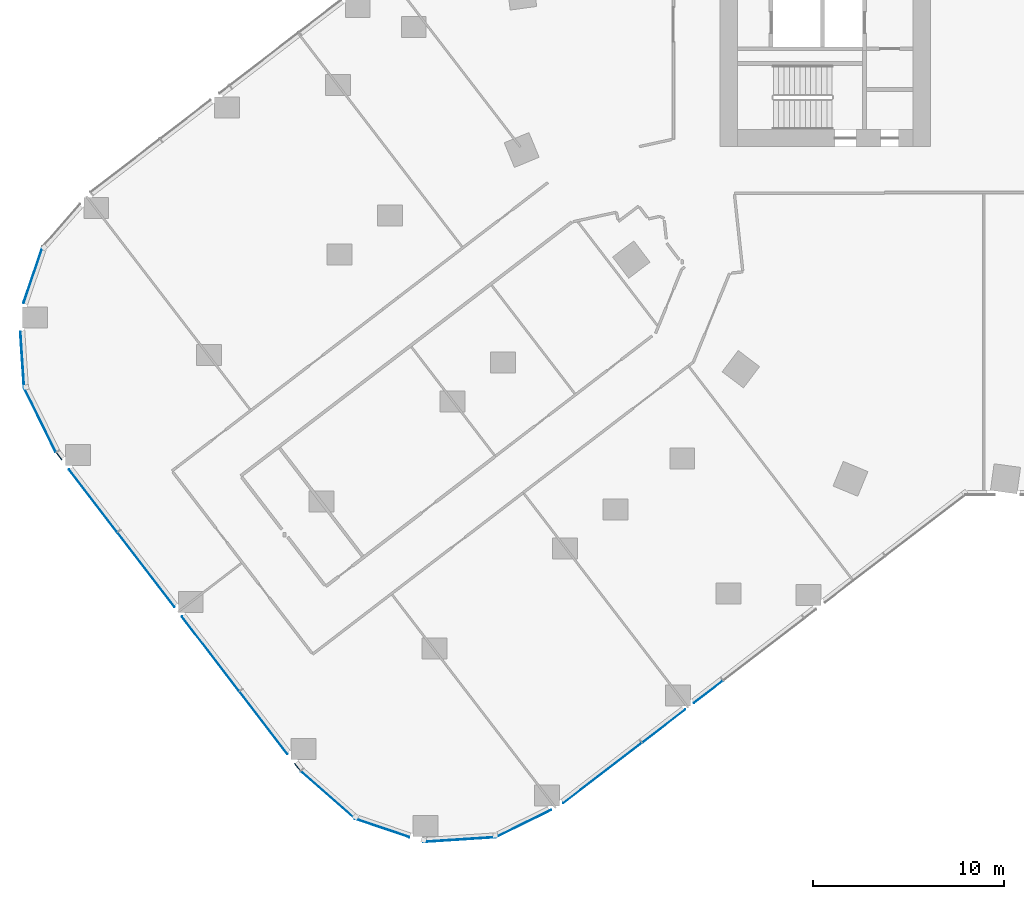
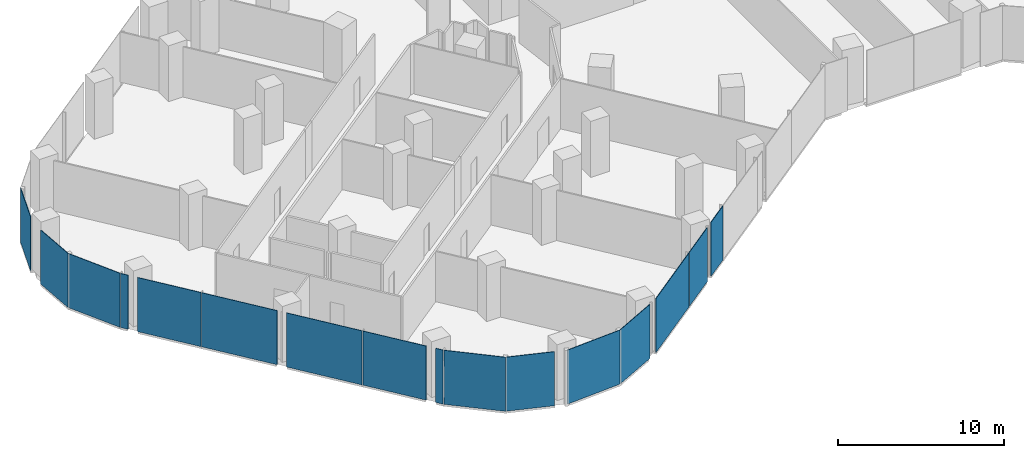
# One storey, part 14 of 29: 16 plates, 9 elements without a shape of their own.
"""IFC4 building model written with IfcOpenShell, lengths in metres."""

from ifc_helpers import new_model, si_unit, direction, frame, origin, origin_2d, place, context, subcontext, project, spatial, rectangle, extrude, material, layer, layer_set, type_object, element, aggregate, save


model = new_model("IFC4")

# Units and contexts
model_context = context("Model", 3, precision=1e-05, world=origin(), true_north=direction((0.0, 1.0)))
body_context = subcontext(model_context, "Body", "Model", "MODEL_VIEW")
ifc_project = project(units=[si_unit("LENGTHUNIT", "METRE"), si_unit("AREAUNIT", "SQUARE_METRE"), si_unit("VOLUMEUNIT", "CUBIC_METRE"), si_unit("PLANEANGLEUNIT", "RADIAN"), si_unit("MASSUNIT", "GRAM", prefix="KILO")], contexts=[model_context])

# Site, building, storey
site_placement = place(None, origin())
site = spatial("IfcSite", under=ifc_project, at=site_placement, CompositionType="ELEMENT")
building_placement = place(site_placement, origin())
building = spatial("IfcBuilding", under=site, at=building_placement, Name="Orlundy Tower", CompositionType="ELEMENT")
storey_placement = place(building_placement, frame((0.0, 0.0, 25.10009765625)))
storey = spatial("IfcBuildingStorey", under=building, at=storey_placement, Name="L04", CompositionType="ELEMENT", Elevation=25.10009765625)

# Curtain wall, plates
ifc_material_1 = material(Name="Aluminium bronze anodised", Category="aluminium")
curtain_wall_type = type_object("IfcCurtainWallType", Name="CW2 wall", PredefinedType="NOTDEFINED", material=ifc_material_1)
curtain_wall_1_placement = place(storey_placement, origin())
curtain_wall_1 = element("IfcCurtainWall", 1, at=curtain_wall_1_placement, inside=storey, type_object=curtain_wall_type, Name="CW2 run 02", PredefinedType="NOTDEFINED")
ifc_material_2 = material(Name="Tinted glass", Category="glass")
ifc_layer = layer(ifc_material_2, 0.0380859375)
ifc_layer_set = layer_set([ifc_layer], Name="CW2 glass panel 38")
plate_type = type_object("IfcPlateType", Name="CW2 glass panel 38", PredefinedType="CURTAIN_PANEL", material=ifc_layer_set)
plate_1_placement = place(storey_placement, frame((-19.620849609375, -40.556396484375, -0.27001953125), z_axis=(0.0, 0.0, 1.0), x_axis=(-0.793352099111, -0.608763046543, 0.0)))
plate_1 = element("IfcPlate", 2, at=plate_1_placement, type_object=plate_type, Name="CW2 panel", PredefinedType="CURTAIN_PANEL", context=body_context, shape_type="SweptSolid", body=[
    extrude(rectangle(XDim=1.888671875, YDim=0.0380859375, at=origin_2d()), origin(), (0.0, 0.0, 1.0), 3.969970703125),
])
plate_2_placement = place(storey_placement, frame((-21.95703125, -42.34912109375, -0.27001953125), z_axis=(0.0, 0.0, 1.0), x_axis=(-0.793352099111, -0.608763046543, 0.0)))
plate_2 = element("IfcPlate", 3, at=plate_2_placement, type_object=plate_type, Name="CW2 panel", PredefinedType="CURTAIN_PANEL", context=body_context, shape_type="SweptSolid", body=[
    extrude(rectangle(XDim=2.83544921875, YDim=0.0380859375, at=origin_2d()), origin(), (0.0, 0.0, 1.0), 3.969970703125),
])
plate_3_placement = place(storey_placement, frame((-25.171630859375, -44.815673828125, -0.27001953125), z_axis=(0.0, 0.0, 1.0), x_axis=(-0.793352099111, -0.608763046543, 0.0)))
plate_3 = element("IfcPlate", 4, at=plate_3_placement, type_object=plate_type, Name="CW2 panel", PredefinedType="CURTAIN_PANEL", context=body_context, shape_type="SweptSolid", body=[
    extrude(rectangle(XDim=5.168701171875, YDim=0.0380859375, at=origin_2d()), origin(), (0.0, 0.0, 1.0), 3.969970703125),
])
aggregate(curtain_wall_1, [plate_1, plate_2, plate_3])

# Curtain wall, plate
curtain_wall_2_placement = place(storey_placement, origin())
curtain_wall_2 = element("IfcCurtainWall", 5, at=curtain_wall_2_placement, inside=storey, type_object=curtain_wall_type, Name="CW2 run 03", PredefinedType="NOTDEFINED")
plate_4_placement = place(storey_placement, frame((-29.3017578125, -47.455322265625, -0.27001953125), z_axis=(0.0, 0.0, 1.0), x_axis=(-0.896841554905, -0.442351924824, 0.0)))
plate_4 = element("IfcPlate", 6, at=plate_4_placement, type_object=plate_type, Name="CW2 panel", PredefinedType="CURTAIN_PANEL", context=body_context, shape_type="SweptSolid", body=[
    extrude(rectangle(XDim=3.242919921875, YDim=0.0380859375, at=origin_2d()), origin(), (0.0, 0.0, 1.0), 3.969970703125),
])
aggregate(curtain_wall_2, [plate_4])

curtain_wall_3_placement = place(storey_placement, origin())
curtain_wall_3 = element("IfcCurtainWall", 7, at=curtain_wall_3_placement, inside=storey, type_object=curtain_wall_type, Name="CW2 run 04", PredefinedType="NOTDEFINED")
plate_5_placement = place(storey_placement, frame((-32.6513671875, -48.29638671875, -0.27001953125), z_axis=(0.0, 0.0, 1.0), x_axis=(-0.997866755389, -0.065283523877, 0.0)))
plate_5 = element("IfcPlate", 8, at=plate_5_placement, type_object=plate_type, Name="CW2 panel", PredefinedType="CURTAIN_PANEL", context=body_context, shape_type="SweptSolid", body=[
    extrude(rectangle(XDim=3.798828125, YDim=0.0380859375, at=origin_2d()), origin(), (0.0, 0.0, 1.0), 3.969970703125),
])
aggregate(curtain_wall_3, [plate_5])

curtain_wall_4_placement = place(storey_placement, origin())
curtain_wall_4 = element("IfcCurtainWall", 9, at=curtain_wall_4_placement, inside=storey, type_object=curtain_wall_type, Name="CW2 run 05", PredefinedType="NOTDEFINED")
plate_6_placement = place(storey_placement, frame((-36.71533203125, -47.6845703125, -0.27001953125), z_axis=(0.0, 0.0, 1.0), x_axis=(-0.946969904911, 0.32132226688, 0.0)))
plate_6 = element("IfcPlate", 10, at=plate_6_placement, type_object=plate_type, Name="CW2 panel", PredefinedType="CURTAIN_PANEL", context=body_context, shape_type="SweptSolid", body=[
    extrude(rectangle(XDim=3.016845703125, YDim=0.0380859375, at=origin_2d()), origin(), (0.0, 0.0, 1.0), 3.969970703125),
])
aggregate(curtain_wall_4, [plate_6])

curtain_wall_5_placement = place(storey_placement, origin())
curtain_wall_5 = element("IfcCurtainWall", 11, at=curtain_wall_5_placement, inside=storey, type_object=curtain_wall_type, Name="CW2 run 06", PredefinedType="NOTDEFINED")
plate_7_placement = place(storey_placement, frame((-39.5537109375, -45.963623046875, -0.27001953125), z_axis=(0.0, 0.0, 1.0), x_axis=(-0.751857647447, 0.65932547196, 0.0)))
plate_7 = element("IfcPlate", 12, at=plate_7_placement, type_object=plate_type, Name="CW2 panel", PredefinedType="CURTAIN_PANEL", context=body_context, shape_type="SweptSolid", body=[
    extrude(rectangle(XDim=3.75048828125, YDim=0.0380859375, at=origin_2d()), origin(), (0.0, 0.0, 1.0), 3.969970703125),
])
aggregate(curtain_wall_5, [plate_7])

# Curtain wall, plates
curtain_wall_6_placement = place(storey_placement, origin())
curtain_wall_6 = element("IfcCurtainWall", 13, at=curtain_wall_6_placement, inside=storey, type_object=curtain_wall_type, Name="CW2 run 07", PredefinedType="NOTDEFINED")
plate_8_placement = place(storey_placement, frame((-41.146728515625, -44.496337890625, -0.27001953125), z_axis=(0.0, 0.0, 1.0), x_axis=(-0.608748393046, 0.793363342967, 0.0)))
plate_8 = element("IfcPlate", 14, at=plate_8_placement, type_object=plate_type, Name="CW2 panel", PredefinedType="CURTAIN_PANEL", context=body_context, shape_type="SweptSolid", body=[
    extrude(rectangle(XDim=0.489990234375, YDim=0.0380859375, at=origin_2d()), origin(), (0.0, 0.0, 1.0), 3.969970703125),
])
plate_9_placement = place(storey_placement, frame((-42.925537109375, -42.17822265625, -0.27001953125), z_axis=(0.0, 0.0, 1.0), x_axis=(-0.608748393046, 0.793363342967, 0.0)))
plate_9 = element("IfcPlate", 15, at=plate_9_placement, type_object=plate_type, Name="CW2 panel", PredefinedType="CURTAIN_PANEL", context=body_context, shape_type="SweptSolid", body=[
    extrude(rectangle(XDim=4.11181640625, YDim=0.0380859375, at=origin_2d()), origin(), (0.0, 0.0, 1.0), 3.969970703125),
])
plate_10_placement = place(storey_placement, frame((-45.704345703125, -38.556884765625, -0.27001953125), z_axis=(0.0, 0.0, 1.0), x_axis=(-0.608748393046, 0.793363342967, 0.0)))
plate_10 = element("IfcPlate", 16, at=plate_10_placement, type_object=plate_type, Name="CW2 panel", PredefinedType="CURTAIN_PANEL", context=body_context, shape_type="SweptSolid", body=[
    extrude(rectangle(XDim=4.917724609375, YDim=0.0380859375, at=origin_2d()), origin(), (0.0, 0.0, 1.0), 3.969970703125),
])
plate_11_placement = place(storey_placement, frame((-49.073974609375, -34.1650390625, -0.27001953125), z_axis=(0.0, 0.0, 1.0), x_axis=(-0.608748393046, 0.793363342967, 0.0)))
plate_11 = element("IfcPlate", 17, at=plate_11_placement, type_object=plate_type, Name="CW2 panel", PredefinedType="CURTAIN_PANEL", context=body_context, shape_type="SweptSolid", body=[
    extrude(rectangle(XDim=4.911865234375, YDim=0.0380859375, at=origin_2d()), origin(), (0.0, 0.0, 1.0), 3.969970703125),
])
plate_12_placement = place(storey_placement, frame((-51.8525390625, -30.5439453125, -0.27001953125), z_axis=(0.0, 0.0, 1.0), x_axis=(-0.608748393046, 0.793363342967, 0.0)))
plate_12 = element("IfcPlate", 18, at=plate_12_placement, type_object=plate_type, Name="CW2 panel", PredefinedType="CURTAIN_PANEL", context=body_context, shape_type="SweptSolid", body=[
    extrude(rectangle(XDim=4.11669921875, YDim=0.0380859375, at=origin_2d()), origin(), (0.0, 0.0, 1.0), 3.969970703125),
])
plate_13_placement = place(storey_placement, frame((-53.630859375, -28.226318359375, -0.27001953125), z_axis=(0.0, 0.0, 1.0), x_axis=(-0.608748393046, 0.793363342967, 0.0)))
plate_13 = element("IfcPlate", 19, at=plate_13_placement, type_object=plate_type, Name="CW2 panel", PredefinedType="CURTAIN_PANEL", context=body_context, shape_type="SweptSolid", body=[
    extrude(rectangle(XDim=0.48583984375, YDim=0.0380859375, at=origin_2d()), origin(), (0.0, 0.0, 1.0), 3.969970703125),
])
aggregate(curtain_wall_6, [plate_8, plate_9, plate_10, plate_11, plate_12, plate_13])

# Curtain wall, plate
curtain_wall_7_placement = place(storey_placement, origin())
curtain_wall_7 = element("IfcCurtainWall", 20, at=curtain_wall_7_placement, inside=storey, type_object=curtain_wall_type, Name="CW2 run 08", PredefinedType="NOTDEFINED")
plate_14_placement = place(storey_placement, frame((-54.63427734375, -26.3095703125, -0.27001953125), z_axis=(0.0, 0.0, 1.0), x_axis=(-0.442241939743, 0.896895794801, 0.0)))
plate_14 = element("IfcPlate", 21, at=plate_14_placement, type_object=plate_type, Name="CW2 panel", PredefinedType="CURTAIN_PANEL", context=body_context, shape_type="SweptSolid", body=[
    extrude(rectangle(XDim=3.749755859375, YDim=0.0380859375, at=origin_2d()), origin(), (0.0, 0.0, 1.0), 3.969970703125),
])
aggregate(curtain_wall_7, [plate_14])

curtain_wall_8_placement = place(storey_placement, origin())
curtain_wall_8 = element("IfcCurtainWall", 22, at=curtain_wall_8_placement, inside=storey, type_object=curtain_wall_type, Name="CW2 run 09", PredefinedType="NOTDEFINED")
plate_15_placement = place(storey_placement, frame((-55.559326171875, -23.161865234375, -0.27001953125), z_axis=(0.0, 0.0, 1.0), x_axis=(-0.065283523877, 0.997866755389, 0.0)))
plate_15 = element("IfcPlate", 23, at=plate_15_placement, type_object=plate_type, Name="CW2 panel", PredefinedType="CURTAIN_PANEL", context=body_context, shape_type="SweptSolid", body=[
    extrude(rectangle(XDim=2.938232421875, YDim=0.0380859375, at=origin_2d()), origin(), (0.0, 0.0, 1.0), 3.969970703125),
])
aggregate(curtain_wall_8, [plate_15])

curtain_wall_9_placement = place(storey_placement, origin())
curtain_wall_9 = element("IfcCurtainWall", 24, at=curtain_wall_9_placement, inside=storey, type_object=curtain_wall_type, Name="CW2 run 010", PredefinedType="NOTDEFINED")
plate_16_placement = place(storey_placement, frame((-54.992431640625, -18.718017578125, -0.27001953125), z_axis=(0.0, 0.0, 1.0), x_axis=(0.32132226688, 0.946969904911, 0.0)))
plate_16 = element("IfcPlate", 25, at=plate_16_placement, type_object=plate_type, Name="CW2 panel", PredefinedType="CURTAIN_PANEL", context=body_context, shape_type="SweptSolid", body=[
    extrude(rectangle(XDim=3.121337890625, YDim=0.0380859375, at=origin_2d()), origin(), (0.0, 0.0, 1.0), 3.969970703125),
])
aggregate(curtain_wall_9, [plate_16])

save(model, "model.ifc")
